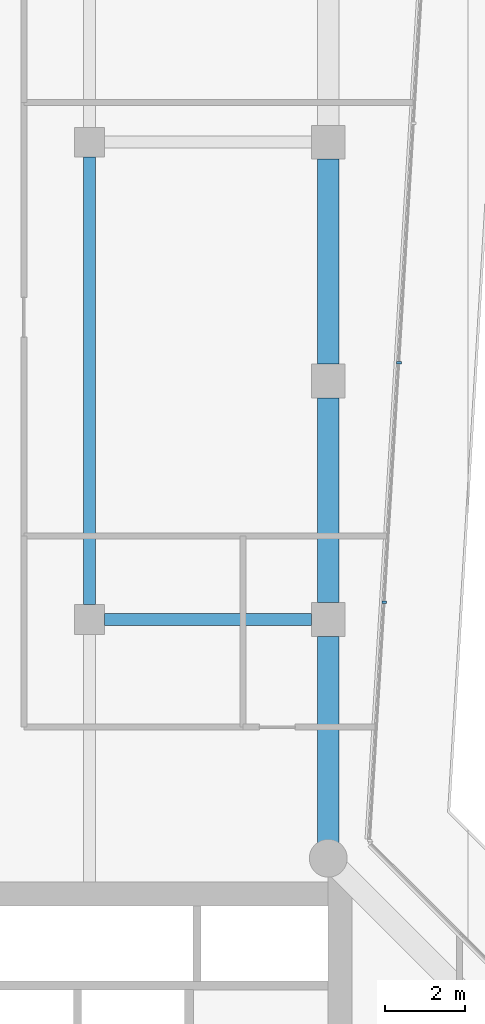
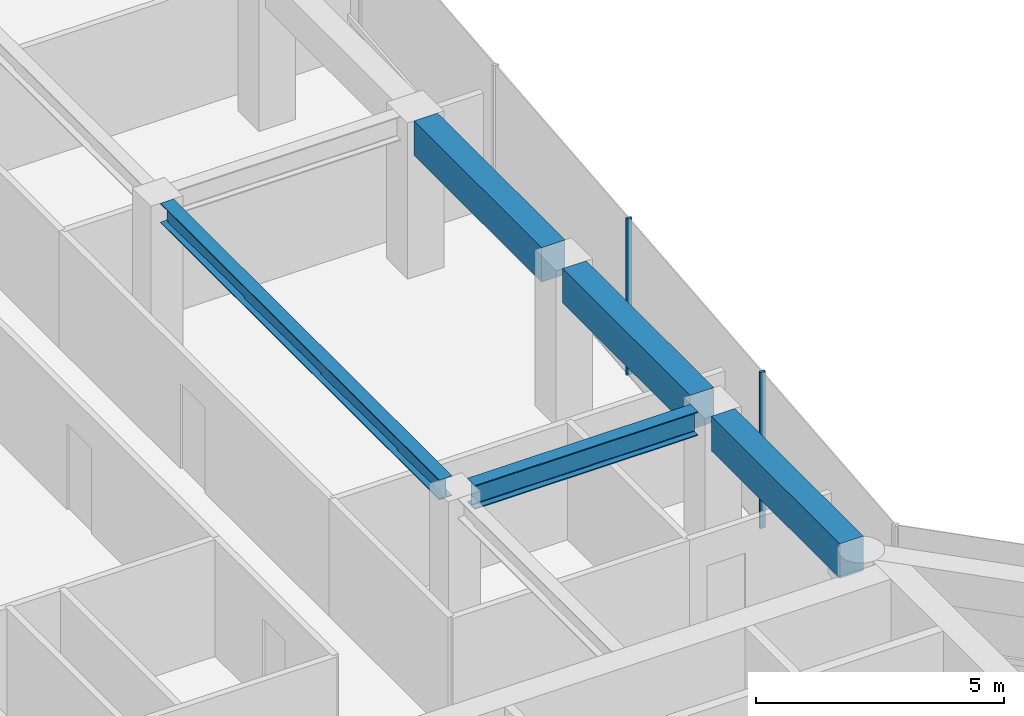
# One storey, part 9 of 22: 5 beams, 2 members, 1 element without a shape of its own.
"""IFC4 building model written with IfcOpenShell, lengths in metres."""

import ifcopenshell
import ifcopenshell.guid

model = None  # the IFC model being written
_history = None  # IfcOwnerHistory: only IFC2X3 demands one
_inside = {}  # id of a spatial element -> (the spatial element, [elements in it])
_under = {}  # id of a project, library or spatial element -> (it, [spatial elements below it])
_declared = {}  # id of a project -> (the project, [libraries it declares])
_typed = {}  # id of a type object -> (the type object, [elements of that type])
_made_of = {}  # id of a material, layer set ... -> (it, [elements and type objects made of it])


def new_model(schema):
    """Start an empty IFC model of exactly this schema.

    Asked for "IFC4X3", IfcOpenShell would pick the latest addendum, in which some entities
    have other attributes; the version numbers below select the first issue.
    IFC2X3 requires an IfcOwnerHistory on every rooted entity: one is made here for all.
    """
    global model, _history
    if schema == "IFC4X3":
        model = ifcopenshell.file(schema_version=(4, 3, 0, 0))
    else:
        model = ifcopenshell.file(schema=schema)
    _inside.clear()
    _under.clear()
    _declared.clear()
    _typed.clear()
    _made_of.clear()
    _history = None
    if model.schema == "IFC2X3":
        org = make("IfcOrganization", Name="unknown")
        user = make(
            "IfcPersonAndOrganization",
            ThePerson=make("IfcPerson", FamilyName="unknown"),
            TheOrganization=org,
        )
        app = make(
            "IfcApplication",
            ApplicationDeveloper=org,
            Version="unknown",
            ApplicationFullName="unknown",
            ApplicationIdentifier="unknown",
        )
        _history = make(
            "IfcOwnerHistory",
            OwningUser=user,
            OwningApplication=app,
            ChangeAction="ADDED",
            CreationDate=0,
        )
    return model


def make(cls, **values):
    """One entity of the class cls with the attributes given. An attribute that is None is left unset."""
    return model.create_entity(
        cls, **{name: value for name, value in values.items() if value is not None}
    )


def rooted(cls, **values):
    """An entity with a GlobalId (a new one), such as an element, a storey or a relation."""
    return make(cls, GlobalId=ifcopenshell.guid.new(), OwnerHistory=_history, **values)


def si_unit(unit_type, name, prefix=None):
    """IfcSIUnit, for example si_unit("LENGTHUNIT", "METRE", prefix="MILLI")."""
    return make("IfcSIUnit", UnitType=unit_type, Prefix=prefix, Name=name)


def assignment(units):
    """IfcUnitAssignment: the units of a project."""
    return None if units is None else make("IfcUnitAssignment", Units=units)


def point(xyz):
    """IfcCartesianPoint."""
    return None if xyz is None else make("IfcCartesianPoint", Coordinates=xyz)


def direction(xyz):
    """IfcDirection."""
    return None if xyz is None else make("IfcDirection", DirectionRatios=xyz)


def frame(location, z_axis=None, x_axis=None):
    """IfcAxis2Placement3D, a coordinate frame: its origin and axes. An axis left out is left unset."""
    return make(
        "IfcAxis2Placement3D",
        Location=point(location),
        Axis=direction(z_axis),
        RefDirection=direction(x_axis),
    )


def frame_2d(location, x_axis=None):
    """IfcAxis2Placement2D, a coordinate frame in the plane: its origin and x axis."""
    return make(
        "IfcAxis2Placement2D", Location=point(location), RefDirection=direction(x_axis)
    )


def origin():
    """The frame at (0, 0, 0) with its axes left unset."""
    return frame((0.0, 0.0, 0.0))


def origin_2d():
    """The frame at (0, 0) in the plane with its x axis left unset."""
    return frame_2d((0.0, 0.0))


def place(relative_to, where):
    """IfcLocalPlacement: puts the frame where relative to a parent placement (None: the world)."""
    return make(
        "IfcLocalPlacement", PlacementRelTo=relative_to, RelativePlacement=where
    )


def context(
    kind, dimensions, precision=None, world=None, true_north=None, identifier=None
):
    """IfcGeometricRepresentationContext, for example the 3D "Model" context."""
    return make(
        "IfcGeometricRepresentationContext",
        ContextIdentifier=identifier,
        ContextType=kind,
        CoordinateSpaceDimension=dimensions,
        Precision=precision,
        WorldCoordinateSystem=world,
        TrueNorth=true_north,
    )


def subcontext(parent, identifier, kind, view, scale=None):
    """IfcGeometricRepresentationSubContext, for example "Body" below "Model"."""
    return make(
        "IfcGeometricRepresentationSubContext",
        ContextIdentifier=identifier,
        ContextType=kind,
        ParentContext=parent,
        TargetScale=scale,
        TargetView=view,
    )


def project(units=None, contexts=None):
    """IfcProject with its units and contexts."""
    return rooted(
        "IfcProject",
        Name="project",
        RepresentationContexts=contexts,
        UnitsInContext=assignment(units),
    )


def spatial(cls, under=None, at=None, **own):
    """A site, building, storey or space (cls), placed at a placement, below another one or the project."""
    s = rooted(cls, ObjectPlacement=at, **own)
    if under is not None:
        _under.setdefault(under.id(), (under, []))[1].append(s)
    return s


def profile(cls, at=None, kind="AREA", **sizes):
    """A parametric profile (cls). Its sizes go by their IFC names, for example OverallWidth=200.0."""
    return make(cls, ProfileType=kind, Position=at, **sizes)


def rectangle(**sizes):
    """IfcRectangleProfileDef."""
    return profile("IfcRectangleProfileDef", **sizes)


def i_section(**sizes):
    """IfcIShapeProfileDef."""
    return profile("IfcIShapeProfileDef", **sizes)


def extrude(swept, where, along, depth):
    """IfcExtrudedAreaSolid: the profile swept, set in the frame where, extruded along a direction by depth."""
    return make(
        "IfcExtrudedAreaSolid",
        SweptArea=swept,
        Position=where,
        ExtrudedDirection=direction(along),
        Depth=depth,
    )


def shape(context_of_items, identifier, shape_type, items):
    """IfcShapeRepresentation: the items that make up one representation, for example the "Body"."""
    return make(
        "IfcShapeRepresentation",
        ContextOfItems=context_of_items,
        RepresentationIdentifier=identifier,
        RepresentationType=shape_type,
        Items=items,
    )


def material(Name=None, Category=None):
    """IfcMaterial."""
    return make("IfcMaterial", Name=Name, Category=Category)


def layer(
    of_material, thickness, ventilated=None, Name=None, Category=None, Priority=None
):
    """IfcMaterialLayer: one layer of a wall or slab, of a material (None: an air gap)."""
    return make(
        "IfcMaterialLayer",
        Material=of_material,
        LayerThickness=thickness,
        IsVentilated=ventilated,
        Name=Name,
        Category=Category,
        Priority=Priority,
    )


def layer_set(layers, Name=None):
    """IfcMaterialLayerSet."""
    return make("IfcMaterialLayerSet", MaterialLayers=layers, LayerSetName=Name)


def material_profile(
    of_material, cross_section, Name=None, Category=None, Priority=None
):
    """IfcMaterialProfile: a cross section and its material."""
    return make(
        "IfcMaterialProfile",
        Name=Name,
        Material=of_material,
        Profile=cross_section,
        Priority=Priority,
        Category=Category,
    )


def profile_set(profiles, Name=None, composite=None):
    """IfcMaterialProfileSet."""
    return make(
        "IfcMaterialProfileSet",
        Name=Name,
        MaterialProfiles=profiles,
        CompositeProfile=composite,
    )


def made_of(thing, what):
    """Note that an element or type object is made of a material, layer set ...; save() writes the relation."""
    if what is not None:
        _made_of.setdefault(what.id(), (what, []))[1].append(thing)
    return thing


def type_object(cls, material=None, **own):
    """A type object (cls), such as IfcWallType, which elements share."""
    return made_of(rooted(cls, **own), material)


def element(
    cls,
    number,
    at=None,
    inside=None,
    cuts=None,
    type_object=None,
    material=None,
    context=None,
    identifier="Body",
    shape_type=None,
    held_by="IfcProductDefinitionShape",
    body=None,
    shapes=None,
    **own,
):
    """One element of the class cls, such as IfcWall. Its Tag is "e" and its number.

    at: its placement. inside: the storey or other place that contains it. cuts: it is an
    opening in that element (IfcRelVoidsElement). A single representation is given by context,
    identifier, shape_type and body (its items); several are given by shapes. held_by: the class
    of the entity that holds the representations. save() writes the other relations.
    """
    e = rooted(cls, Tag="e%d" % number, ObjectPlacement=at, **own)
    if body is not None:
        shapes = [shape(context, identifier, shape_type, body)]
    if shapes is not None:
        e.Representation = make(held_by, Representations=shapes)
    if inside is not None:
        _inside.setdefault(inside.id(), (inside, []))[1].append(e)
    if cuts is not None:
        rooted(
            "IfcRelVoidsElement", RelatingBuildingElement=cuts, RelatedOpeningElement=e
        )
    if type_object is not None:
        _typed.setdefault(type_object.id(), (type_object, []))[1].append(e)
    return made_of(e, material)


def aggregate(whole, parts):
    """IfcRelAggregates: a whole, such as a stair, and the parts it consists of."""
    return rooted("IfcRelAggregates", RelatingObject=whole, RelatedObjects=parts)


def save(model, path):
    """Write the relations noted so far, then the file.

    IfcRelAggregates (storeys below a building ...), IfcRelContainedInSpatialStructure (elements
    in a storey), IfcRelDefinesByType, IfcRelAssociatesMaterial and IfcRelDeclares: one each for
    every whole, place, type object, material and project.
    """
    for whole, parts in _under.values():
        aggregate(whole, parts)
    for where, things in _inside.values():
        rooted(
            "IfcRelContainedInSpatialStructure",
            RelatedElements=things,
            RelatingStructure=where,
        )
    for kind, things in _typed.values():
        rooted("IfcRelDefinesByType", RelatedObjects=things, RelatingType=kind)
    for what, things in _made_of.values():
        rooted("IfcRelAssociatesMaterial", RelatedObjects=things, RelatingMaterial=what)
    for by, libraries in _declared.values():
        rooted("IfcRelDeclares", RelatingContext=by, RelatedDefinitions=libraries)
    model.write(path)


model = new_model("IFC4")

# Units and contexts
model_context = context("Model", 3, precision=1e-05, world=origin(), true_north=direction((0.0, 1.0)))
body_context = subcontext(model_context, "Body", "Model", "MODEL_VIEW")
ifc_project = project(units=[si_unit("LENGTHUNIT", "METRE"), si_unit("AREAUNIT", "SQUARE_METRE"), si_unit("VOLUMEUNIT", "CUBIC_METRE"), si_unit("PLANEANGLEUNIT", "RADIAN"), si_unit("MASSUNIT", "GRAM", prefix="KILO")], contexts=[model_context])

# Site, building, storey
site_placement = place(None, origin())
site = spatial("IfcSite", under=ifc_project, at=site_placement, CompositionType="ELEMENT")
building_placement = place(site_placement, origin())
building = spatial("IfcBuilding", under=site, at=building_placement, Name="Welwitschia Terrace Campus", CompositionType="ELEMENT")
storey_placement = place(building_placement, frame((0.0, 0.0, 155.0)))
storey = spatial("IfcBuildingStorey", under=building, at=storey_placement, Name="L34", CompositionType="ELEMENT", Elevation=155.0)

# Beam
ifc_material_1 = material(Name="Steel S355", Category="steel")
ifc_material_profile_1 = material_profile(ifc_material_1, i_section(OverallWidth=0.300048828125, OverallDepth=0.489990234375, WebThickness=0.011962890625, FlangeThickness=0.02294921875, FilletRadius=0.027099609375, at=origin_2d()))
ifc_profile_set_1 = profile_set([ifc_material_profile_1], Name="Steel S355")
beam_type_1 = type_object("IfcBeamType", Name="Interior girder HE 500 A", PredefinedType="BEAM", material=ifc_profile_set_1)
beam_1_placement = place(storey_placement, frame((18.0, 32.37548828125, 3.60498046875), z_axis=(0.0, 1.0, 0.0), x_axis=(-1.0, 0.0, 0.0)))
element("IfcBeam", 1, at=beam_1_placement, inside=storey, type_object=beam_type_1, Name="Girder GB4", PredefinedType="BEAM", context=body_context, shape_type="SweptSolid", body=[
    extrude(i_section(OverallWidth=0.300048828125, OverallDepth=0.489990234375, WebThickness=0.011962890625, FlangeThickness=0.02294921875, FilletRadius=0.027099609375, at=origin_2d()), origin(), (0.0, 0.0, 1.0), 11.2490234375),
])

# Curtain wall, members
ifc_material_2 = material(Name="Bronze anodised aluminium", Category="aluminium")
ifc_layer = layer(ifc_material_2, 0.1201171875)
ifc_layer_set = layer_set([ifc_layer], Name="Bronze anodised aluminium")
curtain_wall_type = type_object("IfcCurtainWallType", Name="Curtain wall CW2 tower 6000", PredefinedType="NOTDEFINED", material=ifc_layer_set)
curtain_wall_placement = place(storey_placement, origin())
curtain_wall = element("IfcCurtainWall", 2, at=curtain_wall_placement, inside=storey, type_object=curtain_wall_type, Name="CW L34.8.0", PredefinedType="NOTDEFINED")
ifc_material_3 = material(Name="Bronze anodised aluminium", Category="aluminium")
ifc_material_profile_2 = material_profile(ifc_material_3, rectangle(XDim=0.1201171875, YDim=0.06005859375, at=origin_2d()))
ifc_profile_set_2 = profile_set([ifc_material_profile_2], Name="Bronze anodised aluminium")
member_type = type_object("IfcMemberType", Name="Mullion 60x120", PredefinedType="MULLION", material=ifc_profile_set_2)
member_1_placement = place(storey_placement, frame((25.408935546875, 32.436767578125, 0.0), z_axis=(0.0, 0.0, 1.0), x_axis=(-0.998134798422, 0.061048539535, 0.0)))
member_1 = element("IfcMember", 3, at=member_1_placement, type_object=member_type, Name="Mullion L34.8.0.1", PredefinedType="MULLION", context=body_context, shape_type="SweptSolid", body=[
    extrude(rectangle(XDim=0.1201171875, YDim=0.06005859375, at=origin_2d()), origin(), (0.0, 0.0, 1.0), 3.85009765625),
])
member_2_placement = place(storey_placement, frame((25.777099609375, 38.457763671875, 0.0), z_axis=(0.0, 0.0, 1.0), x_axis=(-0.998134798422, 0.061048539535, 0.0)))
member_2 = element("IfcMember", 4, at=member_2_placement, type_object=member_type, Name="Mullion L34.8.0.2", PredefinedType="MULLION", context=body_context, shape_type="SweptSolid", body=[
    extrude(rectangle(XDim=0.1201171875, YDim=0.06005859375, at=origin_2d()), origin(), (0.0, 0.0, 1.0), 3.85009765625),
])
aggregate(curtain_wall, [member_1, member_2])

# Beams
ifc_material_4 = material(Name="Steel S355", Category="steel")
ifc_material_profile_3 = material_profile(ifc_material_4, i_section(OverallWidth=0.300048828125, OverallDepth=0.590087890625, WebThickness=0.012939453125, FlangeThickness=0.02490234375, FilletRadius=0.027099609375, at=origin_2d()))
ifc_profile_set_3 = profile_set([ifc_material_profile_3], Name="Steel S355")
beam_type_2 = type_object("IfcBeamType", Name="Primary beam HE 600 A", PredefinedType="BEAM", material=ifc_profile_set_3)
beam_2_placement = place(storey_placement, frame((23.574462890625, 32.0, 3.554931640625), z_axis=(-1.0, 0.0, 0.0), x_axis=(0.0, -1.0, 0.0)))
element("IfcBeam", 5, at=beam_2_placement, inside=storey, type_object=beam_type_2, Name="Primary beam PB4", PredefinedType="BEAM", context=body_context, shape_type="SweptSolid", body=[
    extrude(i_section(OverallWidth=0.300048828125, OverallDepth=0.590087890625, WebThickness=0.012939453125, FlangeThickness=0.02490234375, FilletRadius=0.027099609375, at=origin_2d()), origin(), (0.0, 0.0, 1.0), 5.198974609375),
])
ifc_material_5 = material(Name="Concrete C50/60", Category="concrete")
ifc_material_profile_4 = material_profile(ifc_material_5, rectangle(XDim=0.550048828125, YDim=0.85009765625, at=origin_2d()))
ifc_profile_set_4 = profile_set([ifc_material_profile_4], Name="Concrete C50/60")
beam_type_3 = type_object("IfcBeamType", Name="Ring spandrel 550x850", PredefinedType="SPANDREL", material=ifc_profile_set_4)
beam_3_placement = place(storey_placement, frame((24.0, 26.387939453125, 3.425048828125), z_axis=(0.0, 1.0, 0.0), x_axis=(-1.0, 0.0, 0.0)))
element("IfcBeam", 6, at=beam_3_placement, inside=storey, type_object=beam_type_3, Name="Spandrel SP3", PredefinedType="SPANDREL", context=body_context, shape_type="SweptSolid", body=[
    extrude(rectangle(XDim=0.550048828125, YDim=0.85009765625, at=origin_2d()), origin(), (0.0, 0.0, 1.0), 5.1865234375),
])
for number, where, z_axis, x_axis, name in (
    (7, (24.0, 32.425537109375, 3.425048828125), (0.0, 1.0, 0.0), (-1.0, 0.0, 0.0), "Spandrel SP3"),
    (8, (24.0, 38.425537109375, 3.425048828125), (0.0, 1.0, 0.0), (-1.0, 0.0, 0.0), "Spandrel SP3"),
):
    element("IfcBeam", number, at=place(storey_placement, frame(where, z_axis=z_axis, x_axis=x_axis)), inside=storey, type_object=beam_type_3, Name=name, PredefinedType="SPANDREL", context=body_context, shape_type="SweptSolid", body=[
        extrude(rectangle(XDim=0.550048828125, YDim=0.85009765625, at=origin_2d()), origin(), (0.0, 0.0, 1.0), 5.14892578125),
    ])

save(model, "model.ifc")
